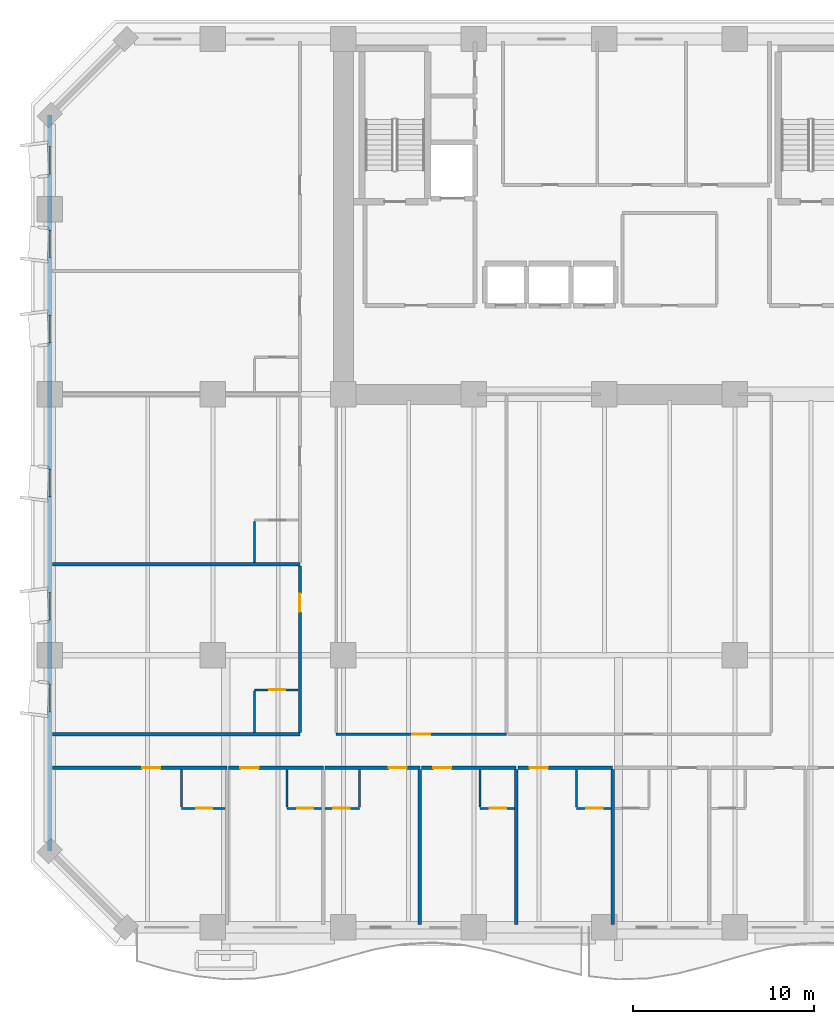
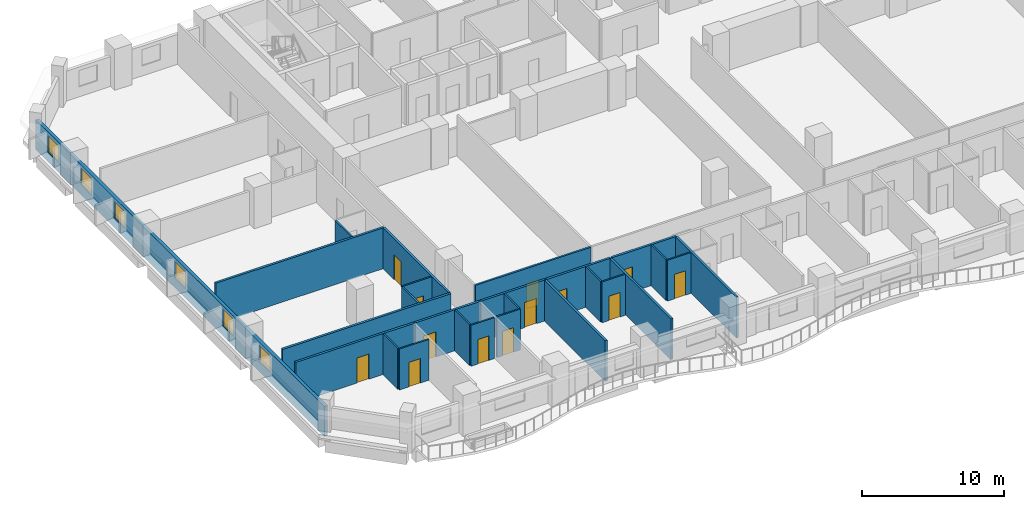
# One storey, part 4 of 16: 26 walls, 13 doors, 6 windows, 19 openings.
"""IFC4 building model written with IfcOpenShell, lengths in metres."""

from ifc_helpers import new_model, si_unit, direction, frame, frame_2d, origin, place, context, subcontext, project, spatial, rectangle, extrude, material, layer, layer_set, type_object, element, fill, save


model = new_model("IFC4")

# Units and contexts
model_context = context("Model", 3, precision=1e-05, world=origin(), true_north=direction((0.0, 1.0)))
body_context = subcontext(model_context, "Body", "Model", "MODEL_VIEW")
ifc_project = project(units=[si_unit("LENGTHUNIT", "METRE"), si_unit("AREAUNIT", "SQUARE_METRE"), si_unit("VOLUMEUNIT", "CUBIC_METRE"), si_unit("PLANEANGLEUNIT", "RADIAN"), si_unit("MASSUNIT", "GRAM", prefix="KILO")], contexts=[model_context])

# Site, building, storey
site_placement = place(None, origin())
site = spatial("IfcSite", under=ifc_project, at=site_placement, CompositionType="ELEMENT")
building_placement = place(site_placement, origin())
building = spatial("IfcBuilding", under=site, at=building_placement, Name="Kaelvorn Grand Hotel", CompositionType="ELEMENT")
storey_placement = place(building_placement, frame((0.0, 0.0, 35.14990234375)))
storey = spatial("IfcBuildingStorey", under=building, at=storey_placement, Name="L06", CompositionType="ELEMENT", Elevation=35.14990234375)

# Wall, openings, windows
ifc_material_1 = material(Name="Concrete C40/50", Category="concrete")
ifc_layer_1 = layer(ifc_material_1, 0.260009765625)
ifc_layer_set_1 = layer_set([ifc_layer_1], Name="Concrete C40/50")
wall_type_1 = type_object("IfcWallType", Name="WL-EXT-260-C40", PredefinedType="SOLIDWALL", material=ifc_layer_set_1)
wall_1_placement = place(storey_placement, frame((0.0, 44.800048828125, 0.0), z_axis=(0.0, 0.0, 1.0), x_axis=(0.0, -1.0, 0.0)))
wall_1 = element("IfcWall", 1, at=wall_1_placement, inside=storey, type_object=wall_type_1, Name="L06 Exterior Architectural Concrete Wall 07", PredefinedType="SOLIDWALL", context=body_context, shape_type="SweptSolid", body=[
    extrude(rectangle(XDim=40.60009765625, YDim=0.260009765625, at=frame_2d((20.300048828125, 0.0))), origin(), (0.0, 0.0, 1.0), 2.56005859375),
])
opening_1_placement = place(wall_1_placement, frame((31.425048828125, 0.0, 0.85009765625)))
opening_1 = element("IfcOpeningElement", 2, at=opening_1_placement, cuts=wall_1, Name="Opening W10", PredefinedType="OPENING", context=body_context, shape_type="SweptSolid", body=[
    extrude(rectangle(XDim=1.5, YDim=1.39990234375, at=frame_2d((0.75, 0.699951171875))), frame((0.0, 0.14013671875, 0.0), z_axis=(0.0, -1.0, 0.0), x_axis=(1.0, 0.0, 0.0)), (0.0, 0.0, 1.0), 0.280029296875),
])
opening_2_placement = place(wall_1_placement, frame((26.340087890625, 0.0, 0.85009765625)))
opening_2 = element("IfcOpeningElement", 3, at=opening_2_placement, cuts=wall_1, Name="Opening W10", PredefinedType="OPENING", context=body_context, shape_type="SweptSolid", body=[
    extrude(rectangle(XDim=1.5, YDim=1.39990234375, at=frame_2d((0.75, 0.699951171875))), frame((0.0, 0.14013671875, 0.0), z_axis=(0.0, -1.0, 0.0), x_axis=(1.0, 0.0, 0.0)), (0.0, 0.0, 1.0), 0.280029296875),
])
opening_3_placement = place(wall_1_placement, frame((19.5400390625, 0.0, 0.85009765625)))
opening_3 = element("IfcOpeningElement", 4, at=opening_3_placement, cuts=wall_1, Name="Opening W10", PredefinedType="OPENING", context=body_context, shape_type="SweptSolid", body=[
    extrude(rectangle(XDim=1.5, YDim=1.39990234375, at=frame_2d((0.75, 0.699951171875))), frame((0.0, 0.14013671875, 0.0), z_axis=(0.0, -1.0, 0.0), x_axis=(1.0, 0.0, 0.0)), (0.0, 0.0, 1.0), 0.280029296875),
])
opening_4_placement = place(wall_1_placement, frame((11.050048828125, 0.0, 0.85009765625)))
opening_4 = element("IfcOpeningElement", 5, at=opening_4_placement, cuts=wall_1, Name="Opening W10", PredefinedType="OPENING", context=body_context, shape_type="SweptSolid", body=[
    extrude(rectangle(XDim=1.5, YDim=1.39990234375, at=frame_2d((0.75, 0.699951171875))), frame((0.0, 0.14013671875, 0.0), z_axis=(0.0, -1.0, 0.0), x_axis=(1.0, 0.0, 0.0)), (0.0, 0.0, 1.0), 0.280029296875),
])
opening_5_placement = place(wall_1_placement, frame((6.35009765625, 0.0, 0.85009765625)))
opening_5 = element("IfcOpeningElement", 6, at=opening_5_placement, cuts=wall_1, Name="Opening W10", PredefinedType="OPENING", context=body_context, shape_type="SweptSolid", body=[
    extrude(rectangle(XDim=1.5, YDim=1.39990234375, at=frame_2d((0.75, 0.699951171875))), frame((0.0, 0.14013671875, 0.0), z_axis=(0.0, -1.0, 0.0), x_axis=(1.0, 0.0, 0.0)), (0.0, 0.0, 1.0), 0.280029296875),
])
opening_6_placement = place(wall_1_placement, frame((1.735107421875, 0.0, 0.85009765625)))
opening_6 = element("IfcOpeningElement", 7, at=opening_6_placement, cuts=wall_1, Name="Opening W10", PredefinedType="OPENING", context=body_context, shape_type="SweptSolid", body=[
    extrude(rectangle(XDim=1.5, YDim=1.39990234375, at=frame_2d((0.75, 0.699951171875))), frame((0.0, 0.14013671875, 0.0), z_axis=(0.0, -1.0, 0.0), x_axis=(1.0, 0.0, 0.0)), (0.0, 0.0, 1.0), 0.280029296875),
])
ifc_material_2 = material(Name="Laminated Low-E Glass", Category="glass")
window_type = type_object("IfcWindowType", Name="WIN-COR-1500x1400", PartitioningType="SINGLE_PANEL", PredefinedType="WINDOW", material=ifc_material_2)
window_1_placement = place(opening_1_placement, origin())
window_1 = element("IfcWindow", 8, at=window_1_placement, inside=storey, type_object=window_type, Name="L06 W Wing Tilted-Frame Ribbon Window W01", OverallHeight=1.39990234375, OverallWidth=1.5, PartitioningType="SINGLE_PANEL", PredefinedType="WINDOW", context=body_context, shape_type="SweptSolid", body=[
    extrude(rectangle(XDim=1.5, YDim=1.39990234375, at=frame_2d((0.75, 0.699951171875))), frame((0.0, 0.030029296875, 0.0), z_axis=(0.0, -1.0, 0.0), x_axis=(1.0, 0.0, 0.0)), (0.0, 0.0, 1.0), 0.06005859375),
])
fill(opening_1, window_1)
window_2_placement = place(opening_2_placement, origin())
window_2 = element("IfcWindow", 9, at=window_2_placement, inside=storey, type_object=window_type, Name="L06 W Wing Tilted-Frame Ribbon Window W02", OverallHeight=1.39990234375, OverallWidth=1.5, PartitioningType="SINGLE_PANEL", PredefinedType="WINDOW", context=body_context, shape_type="SweptSolid", body=[
    extrude(rectangle(XDim=1.5, YDim=1.39990234375, at=frame_2d((0.75, 0.699951171875))), frame((0.0, 0.030029296875, 0.0), z_axis=(0.0, -1.0, 0.0), x_axis=(1.0, 0.0, 0.0)), (0.0, 0.0, 1.0), 0.06005859375),
])
fill(opening_2, window_2)
window_3_placement = place(opening_3_placement, origin())
window_3 = element("IfcWindow", 10, at=window_3_placement, inside=storey, type_object=window_type, Name="L06 W Wing Tilted-Frame Ribbon Window W03", OverallHeight=1.39990234375, OverallWidth=1.5, PartitioningType="SINGLE_PANEL", PredefinedType="WINDOW", context=body_context, shape_type="SweptSolid", body=[
    extrude(rectangle(XDim=1.5, YDim=1.39990234375, at=frame_2d((0.75, 0.699951171875))), frame((0.0, 0.030029296875, 0.0), z_axis=(0.0, -1.0, 0.0), x_axis=(1.0, 0.0, 0.0)), (0.0, 0.0, 1.0), 0.06005859375),
])
fill(opening_3, window_3)
window_4_placement = place(opening_4_placement, origin())
window_4 = element("IfcWindow", 11, at=window_4_placement, inside=storey, type_object=window_type, Name="L06 W Wing Tilted-Frame Ribbon Window W04", OverallHeight=1.39990234375, OverallWidth=1.5, PartitioningType="SINGLE_PANEL", PredefinedType="WINDOW", context=body_context, shape_type="SweptSolid", body=[
    extrude(rectangle(XDim=1.5, YDim=1.39990234375, at=frame_2d((0.75, 0.699951171875))), frame((0.0, 0.030029296875, 0.0), z_axis=(0.0, -1.0, 0.0), x_axis=(1.0, 0.0, 0.0)), (0.0, 0.0, 1.0), 0.06005859375),
])
fill(opening_4, window_4)
window_5_placement = place(opening_5_placement, origin())
window_5 = element("IfcWindow", 12, at=window_5_placement, inside=storey, type_object=window_type, Name="L06 W Wing Tilted-Frame Ribbon Window W05", OverallHeight=1.39990234375, OverallWidth=1.5, PartitioningType="SINGLE_PANEL", PredefinedType="WINDOW", context=body_context, shape_type="SweptSolid", body=[
    extrude(rectangle(XDim=1.5, YDim=1.39990234375, at=frame_2d((0.75, 0.699951171875))), frame((0.0, 0.030029296875, 0.0), z_axis=(0.0, -1.0, 0.0), x_axis=(1.0, 0.0, 0.0)), (0.0, 0.0, 1.0), 0.06005859375),
])
fill(opening_5, window_5)
window_6_placement = place(opening_6_placement, origin())
window_6 = element("IfcWindow", 13, at=window_6_placement, inside=storey, type_object=window_type, Name="L06 W Wing Tilted-Frame Ribbon Window W06", OverallHeight=1.39990234375, OverallWidth=1.5, PartitioningType="SINGLE_PANEL", PredefinedType="WINDOW", context=body_context, shape_type="SweptSolid", body=[
    extrude(rectangle(XDim=1.5, YDim=1.39990234375, at=frame_2d((0.75, 0.699951171875))), frame((0.0, 0.030029296875, 0.0), z_axis=(0.0, -1.0, 0.0), x_axis=(1.0, 0.0, 0.0)), (0.0, 0.0, 1.0), 0.06005859375),
])
fill(opening_6, window_6)

# Wall, opening, door
ifc_material_3 = material(Name="Moisture-Resistant Tile & Stud Board")
ifc_layer_2 = layer(ifc_material_3, 0.125)
ifc_layer_set_2 = layer_set([ifc_layer_2], Name="Moisture-Resistant Tile & Stud Board")
wall_type_2 = type_object("IfcWallType", Name="WL-PART-125-WET", PredefinedType="PARTITIONING", material=ifc_layer_set_2)
wall_2_placement = place(storey_placement, frame((7.271240234375, 6.550048828125, 0.0), z_axis=(0.0, 0.0, 1.0), x_axis=(1.0, 0.0, 0.0)))
wall_2 = element("IfcWall", 14, at=wall_2_placement, inside=storey, type_object=wall_type_2, Name="L06 En-suite Bathroom L06-01 S Partition", PredefinedType="PARTITIONING", context=body_context, shape_type="SweptSolid", body=[
    extrude(rectangle(XDim=2.405029296875, YDim=0.125, at=frame_2d((1.20263671875, 0.0))), origin(), (0.0, 0.0, 1.0), 3.510009765625),
])
opening_7_placement = place(wall_2_placement, frame((0.800048828125, 0.0, 0.0)))
opening_7 = element("IfcOpeningElement", 15, at=opening_7_placement, cuts=wall_2, Name="Opening DI4", PredefinedType="OPENING", context=body_context, shape_type="SweptSolid", body=[
    extrude(rectangle(XDim=0.89990234375, YDim=2.10009765625, at=frame_2d((0.449951171875, 1.050048828125))), frame((0.0, 0.072509765625, 0.0), z_axis=(0.0, -1.0, 0.0), x_axis=(1.0, 0.0, 0.0)), (0.0, 0.0, 1.0), 0.14501953125),
])
ifc_material_4 = material(Name="Timber Veneer Leaf", Category="wood")
door_type_1 = type_object("IfcDoorType", Name="DR-INT-BATH-900x2100", OperationType="NOTDEFINED", PredefinedType="DOOR", material=ifc_material_4)
door_1_placement = place(opening_7_placement, origin())
door_1 = element("IfcDoor", 16, at=door_1_placement, inside=storey, type_object=door_type_1, Name="L06 En-suite Bathroom L06-01 Door", OperationType="SINGLE_SWING_LEFT", OverallHeight=2.10009765625, OverallWidth=0.89990234375, PredefinedType="DOOR", context=body_context, shape_type="SweptSolid", body=[
    extrude(rectangle(XDim=0.89990234375, YDim=2.10009765625, at=frame_2d((0.449951171875, 1.050048828125))), frame((0.0, 0.02490234375, 0.0), z_axis=(0.0, -1.0, 0.0), x_axis=(1.0, 0.0, 0.0)), (0.0, 0.0, 1.0), 0.050048828125),
])
fill(opening_7, door_1)

# Wall
wall_3_placement = place(storey_placement, frame((7.271240234375, 6.617431640625, 0.0), z_axis=(0.0, 0.0, 1.0), x_axis=(0.0, 1.0, 0.0)))
element("IfcWall", 17, at=wall_3_placement, inside=storey, type_object=wall_type_2, Name="L06 En-suite Bathroom L06-01 W Partition", PredefinedType="PARTITIONING", context=body_context, shape_type="SweptSolid", body=[
    extrude(rectangle(XDim=2.087646484375, YDim=0.125, at=frame_2d((1.0439453125, 0.0))), origin(), (0.0, 0.0, 1.0), 3.510009765625),
])

# Wall, opening, door
wall_4_placement = place(storey_placement, frame((13.092529296875, 6.550048828125, 0.0), z_axis=(0.0, 0.0, 1.0), x_axis=(1.0, 0.0, 0.0)))
wall_4 = element("IfcWall", 18, at=wall_4_placement, inside=storey, type_object=wall_type_2, Name="L06 En-suite Bathroom L06-02 S Partition", PredefinedType="PARTITIONING", context=body_context, shape_type="SweptSolid", body=[
    extrude(rectangle(XDim=1.905029296875, YDim=0.125, at=frame_2d((0.95263671875, 0.0))), origin(), (0.0, 0.0, 1.0), 3.510009765625),
])
opening_8_placement = place(wall_4_placement, frame((0.550048828125, 0.0, 0.0)))
opening_8 = element("IfcOpeningElement", 19, at=opening_8_placement, cuts=wall_4, Name="Opening DI4", PredefinedType="OPENING", context=body_context, shape_type="SweptSolid", body=[
    extrude(rectangle(XDim=0.89990234375, YDim=2.10009765625, at=frame_2d((0.449951171875, 1.050048828125))), frame((0.0, 0.072509765625, 0.0), z_axis=(0.0, -1.0, 0.0), x_axis=(1.0, 0.0, 0.0)), (0.0, 0.0, 1.0), 0.14501953125),
])
door_2_placement = place(opening_8_placement, origin())
door_2 = element("IfcDoor", 20, at=door_2_placement, inside=storey, type_object=door_type_1, Name="L06 En-suite Bathroom L06-02 Door", OperationType="SINGLE_SWING_LEFT", OverallHeight=2.10009765625, OverallWidth=0.89990234375, PredefinedType="DOOR", context=body_context, shape_type="SweptSolid", body=[
    extrude(rectangle(XDim=0.89990234375, YDim=2.10009765625, at=frame_2d((0.449951171875, 1.050048828125))), frame((0.0, 0.02490234375, 0.0), z_axis=(0.0, -1.0, 0.0), x_axis=(1.0, 0.0, 0.0)), (0.0, 0.0, 1.0), 0.050048828125),
])
fill(opening_8, door_2)

# Wall
wall_5_placement = place(storey_placement, frame((13.092529296875, 6.617431640625, 0.0), z_axis=(0.0, 0.0, 1.0), x_axis=(0.0, 1.0, 0.0)))
element("IfcWall", 21, at=wall_5_placement, inside=storey, type_object=wall_type_2, Name="L06 En-suite Bathroom L06-02 W Partition", PredefinedType="PARTITIONING", context=body_context, shape_type="SweptSolid", body=[
    extrude(rectangle(XDim=2.087646484375, YDim=0.125, at=frame_2d((1.0439453125, 0.0))), origin(), (0.0, 0.0, 1.0), 3.510009765625),
])

# Wall, opening, door
wall_6_placement = place(storey_placement, frame((15.1875, 6.550048828125, 0.0), z_axis=(0.0, 0.0, 1.0), x_axis=(1.0, 0.0, 0.0)))
wall_6 = element("IfcWall", 22, at=wall_6_placement, inside=storey, type_object=wall_type_2, Name="L06 En-suite Bathroom L06-03 S Partition", PredefinedType="PARTITIONING", context=body_context, shape_type="SweptSolid", body=[
    extrude(rectangle(XDim=1.905029296875, YDim=0.125, at=frame_2d((0.95263671875, 0.0))), origin(), (0.0, 0.0, 1.0), 3.510009765625),
])
opening_9_placement = place(wall_6_placement, frame((0.455078125, 0.0, 0.0)))
opening_9 = element("IfcOpeningElement", 23, at=opening_9_placement, cuts=wall_6, Name="Opening DI4", PredefinedType="OPENING", context=body_context, shape_type="SweptSolid", body=[
    extrude(rectangle(XDim=0.89990234375, YDim=2.10009765625, at=frame_2d((0.449951171875, 1.050048828125))), frame((0.0, 0.072509765625, 0.0), z_axis=(0.0, -1.0, 0.0), x_axis=(1.0, 0.0, 0.0)), (0.0, 0.0, 1.0), 0.14501953125),
])
door_3_placement = place(opening_9_placement, origin())
door_3 = element("IfcDoor", 24, at=door_3_placement, inside=storey, type_object=door_type_1, Name="L06 En-suite Bathroom L06-03 Door", OperationType="SINGLE_SWING_LEFT", OverallHeight=2.10009765625, OverallWidth=0.89990234375, PredefinedType="DOOR", context=body_context, shape_type="SweptSolid", body=[
    extrude(rectangle(XDim=0.89990234375, YDim=2.10009765625, at=frame_2d((0.449951171875, 1.050048828125))), frame((0.0, 0.02490234375, 0.0), z_axis=(0.0, -1.0, 0.0), x_axis=(1.0, 0.0, 0.0)), (0.0, 0.0, 1.0), 0.050048828125),
])
fill(opening_9, door_3)

# Wall
wall_7_placement = place(storey_placement, frame((17.092529296875, 6.617431640625, 0.0), z_axis=(0.0, 0.0, 1.0), x_axis=(0.0, 1.0, 0.0)))
element("IfcWall", 25, at=wall_7_placement, inside=storey, type_object=wall_type_2, Name="L06 En-suite Bathroom L06-03 E Partition", PredefinedType="PARTITIONING", context=body_context, shape_type="SweptSolid", body=[
    extrude(rectangle(XDim=2.087646484375, YDim=0.125, at=frame_2d((1.0439453125, 0.0))), origin(), (0.0, 0.0, 1.0), 3.510009765625),
])

# Wall, opening, door
wall_8_placement = place(storey_placement, frame((23.735107421875, 6.550048828125, 0.0), z_axis=(0.0, 0.0, 1.0), x_axis=(1.0, 0.0, 0.0)))
wall_8 = element("IfcWall", 26, at=wall_8_placement, inside=storey, type_object=wall_type_2, Name="L06 En-suite Bathroom L06-04 S Partition", PredefinedType="PARTITIONING", context=body_context, shape_type="SweptSolid", body=[
    extrude(rectangle(XDim=1.90478515625, YDim=0.125, at=frame_2d((0.952392578125, 0.0))), origin(), (0.0, 0.0, 1.0), 3.510009765625),
])
opening_10_placement = place(wall_8_placement, frame((0.550048828125, 0.0, 0.0)))
opening_10 = element("IfcOpeningElement", 27, at=opening_10_placement, cuts=wall_8, Name="Opening DI4", PredefinedType="OPENING", context=body_context, shape_type="SweptSolid", body=[
    extrude(rectangle(XDim=0.89990234375, YDim=2.10009765625, at=frame_2d((0.449951171875, 1.050048828125))), frame((0.0, 0.072509765625, 0.0), z_axis=(0.0, -1.0, 0.0), x_axis=(1.0, 0.0, 0.0)), (0.0, 0.0, 1.0), 0.14501953125),
])
door_4_placement = place(opening_10_placement, origin())
door_4 = element("IfcDoor", 28, at=door_4_placement, inside=storey, type_object=door_type_1, Name="L06 En-suite Bathroom L06-04 Door", OperationType="SINGLE_SWING_LEFT", OverallHeight=2.10009765625, OverallWidth=0.89990234375, PredefinedType="DOOR", context=body_context, shape_type="SweptSolid", body=[
    extrude(rectangle(XDim=0.89990234375, YDim=2.10009765625, at=frame_2d((0.449951171875, 1.050048828125))), frame((0.0, 0.02490234375, 0.0), z_axis=(0.0, -1.0, 0.0), x_axis=(1.0, 0.0, 0.0)), (0.0, 0.0, 1.0), 0.050048828125),
])
fill(opening_10, door_4)

# Wall
wall_9_placement = place(storey_placement, frame((23.735107421875, 6.617431640625, 0.0), z_axis=(0.0, 0.0, 1.0), x_axis=(0.0, 1.0, 0.0)))
element("IfcWall", 29, at=wall_9_placement, inside=storey, type_object=wall_type_2, Name="L06 En-suite Bathroom L06-04 W Partition", PredefinedType="PARTITIONING", context=body_context, shape_type="SweptSolid", body=[
    extrude(rectangle(XDim=2.087646484375, YDim=0.125, at=frame_2d((1.0439453125, 0.0))), origin(), (0.0, 0.0, 1.0), 3.510009765625),
])

# Wall, opening, door
wall_10_placement = place(storey_placement, frame((29.056396484375, 6.550048828125, 0.0), z_axis=(0.0, 0.0, 1.0), x_axis=(1.0, 0.0, 0.0)))
wall_10 = element("IfcWall", 30, at=wall_10_placement, inside=storey, type_object=wall_type_2, Name="L06 En-suite Bathroom L06-05 S Partition", PredefinedType="PARTITIONING", context=body_context, shape_type="SweptSolid", body=[
    extrude(rectangle(XDim=1.90478515625, YDim=0.125, at=frame_2d((0.952392578125, 0.0))), origin(), (0.0, 0.0, 1.0), 3.510009765625),
])
opening_11_placement = place(wall_10_placement, frame((0.550048828125, 0.0, 0.0)))
opening_11 = element("IfcOpeningElement", 31, at=opening_11_placement, cuts=wall_10, Name="Opening DI4", PredefinedType="OPENING", context=body_context, shape_type="SweptSolid", body=[
    extrude(rectangle(XDim=0.89990234375, YDim=2.10009765625, at=frame_2d((0.449951171875, 1.050048828125))), frame((0.0, 0.072509765625, 0.0), z_axis=(0.0, -1.0, 0.0), x_axis=(1.0, 0.0, 0.0)), (0.0, 0.0, 1.0), 0.14501953125),
])
door_5_placement = place(opening_11_placement, origin())
door_5 = element("IfcDoor", 32, at=door_5_placement, inside=storey, type_object=door_type_1, Name="L06 En-suite Bathroom L06-05 Door", OperationType="SINGLE_SWING_LEFT", OverallHeight=2.10009765625, OverallWidth=0.89990234375, PredefinedType="DOOR", context=body_context, shape_type="SweptSolid", body=[
    extrude(rectangle(XDim=0.89990234375, YDim=2.10009765625, at=frame_2d((0.449951171875, 1.050048828125))), frame((0.0, 0.02490234375, 0.0), z_axis=(0.0, -1.0, 0.0), x_axis=(1.0, 0.0, 0.0)), (0.0, 0.0, 1.0), 0.050048828125),
])
fill(opening_11, door_5)

# Wall
wall_11_placement = place(storey_placement, frame((29.056396484375, 6.617431640625, 0.0), z_axis=(0.0, 0.0, 1.0), x_axis=(0.0, 1.0, 0.0)))
element("IfcWall", 33, at=wall_11_placement, inside=storey, type_object=wall_type_2, Name="L06 En-suite Bathroom L06-05 W Partition", PredefinedType="PARTITIONING", context=body_context, shape_type="SweptSolid", body=[
    extrude(rectangle(XDim=2.087646484375, YDim=0.125, at=frame_2d((1.0439453125, 0.0))), origin(), (0.0, 0.0, 1.0), 3.510009765625),
])

# Wall, opening, door
wall_12_placement = place(storey_placement, frame((11.300048828125, 13.090087890625, 0.0), z_axis=(0.0, 0.0, 1.0), x_axis=(1.0, 0.0, 0.0)))
wall_12 = element("IfcWall", 34, at=wall_12_placement, inside=storey, type_object=wall_type_2, Name="L06 En-suite Bathroom L06-14 N Partition", PredefinedType="PARTITIONING", context=body_context, shape_type="SweptSolid", body=[
    extrude(rectangle(XDim=2.405029296875, YDim=0.125, at=frame_2d((1.20263671875, 0.0))), origin(), (0.0, 0.0, 1.0), 3.510009765625),
])
opening_12_placement = place(wall_12_placement, frame((0.800048828125, 0.0, 0.0)))
opening_12 = element("IfcOpeningElement", 35, at=opening_12_placement, cuts=wall_12, Name="Opening DI4", PredefinedType="OPENING", context=body_context, shape_type="SweptSolid", body=[
    extrude(rectangle(XDim=0.89990234375, YDim=2.10009765625, at=frame_2d((0.449951171875, 1.050048828125))), frame((0.0, 0.072509765625, 0.0), z_axis=(0.0, -1.0, 0.0), x_axis=(1.0, 0.0, 0.0)), (0.0, 0.0, 1.0), 0.14501953125),
])
door_6_placement = place(opening_12_placement, origin())
door_6 = element("IfcDoor", 36, at=door_6_placement, inside=storey, type_object=door_type_1, Name="L06 En-suite Bathroom L06-14 Door", OperationType="SINGLE_SWING_RIGHT", OverallHeight=2.10009765625, OverallWidth=0.89990234375, PredefinedType="DOOR", context=body_context, shape_type="SweptSolid", body=[
    extrude(rectangle(XDim=0.89990234375, YDim=2.10009765625, at=frame_2d((0.449951171875, 1.050048828125))), frame((0.0, 0.02490234375, 0.0), z_axis=(0.0, -1.0, 0.0), x_axis=(1.0, 0.0, 0.0)), (0.0, 0.0, 1.0), 0.050048828125),
])
fill(opening_12, door_6)

# Walls
wall_13_placement = place(storey_placement, frame((11.300048828125, 10.7451171875, 0.0), z_axis=(0.0, 0.0, 1.0), x_axis=(0.0, 1.0, 0.0)))
element("IfcWall", 37, at=wall_13_placement, inside=storey, type_object=wall_type_2, Name="L06 En-suite Bathroom L06-14 W Partition", PredefinedType="PARTITIONING", context=body_context, shape_type="SweptSolid", body=[
    extrude(rectangle(XDim=2.27734375, YDim=0.125, at=frame_2d((1.138671875, 0.0))), origin(), (0.0, 0.0, 1.0), 3.510009765625),
])
wall_14_placement = place(storey_placement, frame((11.300048828125, 20.114990234375, 0.0), z_axis=(0.0, 0.0, 1.0), x_axis=(0.0, 1.0, 0.0)))
element("IfcWall", 38, at=wall_14_placement, inside=storey, type_object=wall_type_2, Name="L06 En-suite Bathroom L06-15 W Partition", PredefinedType="PARTITIONING", context=body_context, shape_type="SweptSolid", body=[
    extrude(rectangle(XDim=2.277587890625, YDim=0.125, at=frame_2d((1.138671875, 0.0))), origin(), (0.0, 0.0, 1.0), 3.510009765625),
])

# Wall, opening, door
ifc_material_5 = material(Name="Acoustic Gypsum & Stud Partition")
ifc_layer_3 = layer(ifc_material_5, 0.14990234375)
ifc_layer_set_3 = layer_set([ifc_layer_3], Name="Acoustic Gypsum & Stud Partition")
wall_type_3 = type_object("IfcWallType", Name="WL-PART-150-EI60", PredefinedType="PARTITIONING", material=ifc_layer_set_3)
wall_15_placement = place(storey_placement, frame((15.800048828125, 10.64990234375, 0.0), z_axis=(0.0, 0.0, 1.0), x_axis=(1.0, 0.0, 0.0)))
wall_15 = element("IfcWall", 39, at=wall_15_placement, inside=storey, type_object=wall_type_3, Name="L06 Executive Meeting Boardroom S Partition", PredefinedType="PARTITIONING", context=body_context, shape_type="SweptSolid", body=[
    extrude(rectangle(XDim=9.39990234375, YDim=0.14990234375, at=frame_2d((4.699951171875, 0.0))), origin(), (0.0, 0.0, 1.0), 3.510009765625),
])
opening_13_placement = place(wall_15_placement, frame((4.199951171875, 0.0, 0.0)))
opening_13 = element("IfcOpeningElement", 40, at=opening_13_placement, cuts=wall_15, Name="Opening DI3", PredefinedType="OPENING", context=body_context, shape_type="SweptSolid", body=[
    extrude(rectangle(XDim=1.0, YDim=2.14990234375, at=frame_2d((0.5, 1.074951171875))), frame((0.0, 0.0849609375, 0.0), z_axis=(0.0, -1.0, 0.0), x_axis=(1.0, 0.0, 0.0)), (0.0, 0.0, 1.0), 0.169921875),
])
ifc_material_6 = material(Name="Timber Veneer Fire Leaf", Category="wood")
door_type_2 = type_object("IfcDoorType", Name="DR-INT-GUEST-1000x2150", OperationType="NOTDEFINED", PredefinedType="DOOR", material=ifc_material_6)
door_7_placement = place(opening_13_placement, origin())
door_7 = element("IfcDoor", 41, at=door_7_placement, inside=storey, type_object=door_type_2, Name="L06 Executive Meeting Boardroom Door", OperationType="SINGLE_SWING_RIGHT", OverallHeight=2.14990234375, OverallWidth=1.0, PredefinedType="DOOR", context=body_context, shape_type="SweptSolid", body=[
    extrude(rectangle(XDim=1.0, YDim=2.14990234375, at=frame_2d((0.5, 1.074951171875))), frame((0.0, 0.02490234375, 0.0), z_axis=(0.0, -1.0, 0.0), x_axis=(1.0, 0.0, 0.0)), (0.0, 0.0, 1.0), 0.050048828125),
])
fill(opening_13, door_7)

ifc_layer_4 = layer(ifc_material_5, 0.179931640625)
ifc_layer_set_4 = layer_set([ifc_layer_4], Name="Acoustic Gypsum & Stud Partition")
wall_type_4 = type_object("IfcWallType", Name="WL-PART-180-EI60", PredefinedType="PARTITIONING", material=ifc_layer_set_4)
wall_16_placement = place(storey_placement, frame((0.14990234375, 8.800048828125, 0.0), z_axis=(0.0, 0.0, 1.0), x_axis=(1.0, 0.0, 0.0)))
wall_16 = element("IfcWall", 42, at=wall_16_placement, inside=storey, type_object=wall_type_4, Name="L06 Deluxe Panoramic Suite L06-01 N Partition", PredefinedType="PARTITIONING", context=body_context, shape_type="SweptSolid", body=[
    extrude(rectangle(XDim=9.621337890625, YDim=0.179931640625, at=frame_2d((4.810546875, 0.0))), origin(), (0.0, 0.0, 1.0), 3.510009765625),
])
opening_14_placement = place(wall_16_placement, frame((4.949951171875, 0.0, 0.0)))
opening_14 = element("IfcOpeningElement", 43, at=opening_14_placement, cuts=wall_16, Name="Opening DI3", PredefinedType="OPENING", context=body_context, shape_type="SweptSolid", body=[
    extrude(rectangle(XDim=1.0, YDim=2.14990234375, at=frame_2d((0.5, 1.074951171875))), frame((0.0, 0.10009765625, 0.0), z_axis=(0.0, -1.0, 0.0), x_axis=(1.0, 0.0, 0.0)), (0.0, 0.0, 1.0), 0.199951171875),
])
door_8_placement = place(opening_14_placement, origin())
door_8 = element("IfcDoor", 44, at=door_8_placement, inside=storey, type_object=door_type_2, Name="L06 Deluxe Panoramic Suite L06-01 Door", OperationType="SINGLE_SWING_RIGHT", OverallHeight=2.14990234375, OverallWidth=1.0, PredefinedType="DOOR", context=body_context, shape_type="SweptSolid", body=[
    extrude(rectangle(XDim=1.0, YDim=2.14990234375, at=frame_2d((0.5, 1.074951171875))), frame((0.0, 0.02490234375, 0.0), z_axis=(0.0, -1.0, 0.0), x_axis=(1.0, 0.0, 0.0)), (0.0, 0.0, 1.0), 0.050048828125),
])
fill(opening_14, door_8)

wall_17_placement = place(storey_placement, frame((9.8662109375, 8.800048828125, 0.0), z_axis=(0.0, 0.0, 1.0), x_axis=(1.0, 0.0, 0.0)))
wall_17 = element("IfcWall", 45, at=wall_17_placement, inside=storey, type_object=wall_type_4, Name="L06 Deluxe King Guest Room L06-02 N Partition", PredefinedType="PARTITIONING", context=body_context, shape_type="SweptSolid", body=[
    extrude(rectangle(XDim=5.226318359375, YDim=0.179931640625, at=frame_2d((2.61328125, 0.0))), origin(), (0.0, 0.0, 1.0), 3.510009765625),
])
opening_15_placement = place(wall_17_placement, frame((0.64990234375, 0.0, 0.0)))
opening_15 = element("IfcOpeningElement", 46, at=opening_15_placement, cuts=wall_17, Name="Opening DI3", PredefinedType="OPENING", context=body_context, shape_type="SweptSolid", body=[
    extrude(rectangle(XDim=1.0, YDim=2.14990234375, at=frame_2d((0.5, 1.074951171875))), frame((0.0, 0.10009765625, 0.0), z_axis=(0.0, -1.0, 0.0), x_axis=(1.0, 0.0, 0.0)), (0.0, 0.0, 1.0), 0.199951171875),
])
door_9_placement = place(opening_15_placement, origin())
door_9 = element("IfcDoor", 47, at=door_9_placement, inside=storey, type_object=door_type_2, Name="L06 Deluxe King Guest Room L06-02 Door", OperationType="SINGLE_SWING_RIGHT", OverallHeight=2.14990234375, OverallWidth=1.0, PredefinedType="DOOR", context=body_context, shape_type="SweptSolid", body=[
    extrude(rectangle(XDim=1.0, YDim=2.14990234375, at=frame_2d((0.5, 1.074951171875))), frame((0.0, 0.02490234375, 0.0), z_axis=(0.0, -1.0, 0.0), x_axis=(1.0, 0.0, 0.0)), (0.0, 0.0, 1.0), 0.050048828125),
])
fill(opening_15, door_9)

wall_18_placement = place(storey_placement, frame((15.1875, 8.800048828125, 0.0), z_axis=(0.0, 0.0, 1.0), x_axis=(1.0, 0.0, 0.0)))
wall_18 = element("IfcWall", 48, at=wall_18_placement, inside=storey, type_object=wall_type_4, Name="L06 Deluxe King Guest Room L06-03 N Partition", PredefinedType="PARTITIONING", context=body_context, shape_type="SweptSolid", body=[
    extrude(rectangle(XDim=5.226318359375, YDim=0.179931640625, at=frame_2d((2.61328125, 0.0))), origin(), (0.0, 0.0, 1.0), 3.510009765625),
])
opening_16_placement = place(wall_18_placement, frame((3.515625, 0.0, 0.0)))
opening_16 = element("IfcOpeningElement", 49, at=opening_16_placement, cuts=wall_18, Name="Opening DI3", PredefinedType="OPENING", context=body_context, shape_type="SweptSolid", body=[
    extrude(rectangle(XDim=1.0, YDim=2.14990234375, at=frame_2d((0.5, 1.074951171875))), frame((0.0, 0.10009765625, 0.0), z_axis=(0.0, -1.0, 0.0), x_axis=(1.0, 0.0, 0.0)), (0.0, 0.0, 1.0), 0.199951171875),
])
door_10_placement = place(opening_16_placement, origin())
door_10 = element("IfcDoor", 50, at=door_10_placement, inside=storey, type_object=door_type_2, Name="L06 Deluxe King Guest Room L06-03 Door", OperationType="SINGLE_SWING_RIGHT", OverallHeight=2.14990234375, OverallWidth=1.0, PredefinedType="DOOR", context=body_context, shape_type="SweptSolid", body=[
    extrude(rectangle(XDim=1.0, YDim=2.14990234375, at=frame_2d((0.5, 1.074951171875))), frame((0.0, 0.02490234375, 0.0), z_axis=(0.0, -1.0, 0.0), x_axis=(1.0, 0.0, 0.0)), (0.0, 0.0, 1.0), 0.050048828125),
])
fill(opening_16, door_10)

# Wall
wall_19_placement = place(storey_placement, frame((20.413818359375, 0.14990234375, 0.0), z_axis=(0.0, 0.0, 1.0), x_axis=(0.0, 1.0, 0.0)))
element("IfcWall", 51, at=wall_19_placement, inside=storey, type_object=wall_type_4, Name="L06 Deluxe King Guest Room L06-03 E Partition", PredefinedType="PARTITIONING", context=body_context, shape_type="SweptSolid", body=[
    extrude(rectangle(XDim=8.55517578125, YDim=0.179931640625, at=frame_2d((4.277587890625, 0.0))), origin(), (0.0, 0.0, 1.0), 3.510009765625),
])

# Wall, opening, door
wall_20_placement = place(storey_placement, frame((20.5087890625, 8.800048828125, 0.0), z_axis=(0.0, 0.0, 1.0), x_axis=(1.0, 0.0, 0.0)))
wall_20 = element("IfcWall", 52, at=wall_20_placement, inside=storey, type_object=wall_type_4, Name="L06 Deluxe King Guest Room L06-04 N Partition", PredefinedType="PARTITIONING", context=body_context, shape_type="SweptSolid", body=[
    extrude(rectangle(XDim=5.226318359375, YDim=0.179931640625, at=frame_2d((2.61328125, 0.0))), origin(), (0.0, 0.0, 1.0), 3.510009765625),
])
opening_17_placement = place(wall_20_placement, frame((0.64990234375, 0.0, 0.0)))
opening_17 = element("IfcOpeningElement", 53, at=opening_17_placement, cuts=wall_20, Name="Opening DI3", PredefinedType="OPENING", context=body_context, shape_type="SweptSolid", body=[
    extrude(rectangle(XDim=1.0, YDim=2.14990234375, at=frame_2d((0.5, 1.074951171875))), frame((0.0, 0.10009765625, 0.0), z_axis=(0.0, -1.0, 0.0), x_axis=(1.0, 0.0, 0.0)), (0.0, 0.0, 1.0), 0.199951171875),
])
door_11_placement = place(opening_17_placement, origin())
door_11 = element("IfcDoor", 54, at=door_11_placement, inside=storey, type_object=door_type_2, Name="L06 Deluxe King Guest Room L06-04 Door", OperationType="SINGLE_SWING_RIGHT", OverallHeight=2.14990234375, OverallWidth=1.0, PredefinedType="DOOR", context=body_context, shape_type="SweptSolid", body=[
    extrude(rectangle(XDim=1.0, YDim=2.14990234375, at=frame_2d((0.5, 1.074951171875))), frame((0.0, 0.02490234375, 0.0), z_axis=(0.0, -1.0, 0.0), x_axis=(1.0, 0.0, 0.0)), (0.0, 0.0, 1.0), 0.050048828125),
])
fill(opening_17, door_11)

# Wall
wall_21_placement = place(storey_placement, frame((25.735107421875, 0.14990234375, 0.0), z_axis=(0.0, 0.0, 1.0), x_axis=(0.0, 1.0, 0.0)))
element("IfcWall", 55, at=wall_21_placement, inside=storey, type_object=wall_type_4, Name="L06 Deluxe King Guest Room L06-04 E Partition", PredefinedType="PARTITIONING", context=body_context, shape_type="SweptSolid", body=[
    extrude(rectangle(XDim=8.55517578125, YDim=0.179931640625, at=frame_2d((4.277587890625, 0.0))), origin(), (0.0, 0.0, 1.0), 3.510009765625),
])

# Wall, opening, door
wall_22_placement = place(storey_placement, frame((25.830078125, 8.800048828125, 0.0), z_axis=(0.0, 0.0, 1.0), x_axis=(1.0, 0.0, 0.0)))
wall_22 = element("IfcWall", 56, at=wall_22_placement, inside=storey, type_object=wall_type_4, Name="L06 Deluxe King Guest Room L06-05 N Partition", PredefinedType="PARTITIONING", context=body_context, shape_type="SweptSolid", body=[
    extrude(rectangle(XDim=5.226318359375, YDim=0.179931640625, at=frame_2d((2.61328125, 0.0))), origin(), (0.0, 0.0, 1.0), 3.510009765625),
])
opening_18_placement = place(wall_22_placement, frame((0.64990234375, 0.0, 0.0)))
opening_18 = element("IfcOpeningElement", 57, at=opening_18_placement, cuts=wall_22, Name="Opening DI3", PredefinedType="OPENING", context=body_context, shape_type="SweptSolid", body=[
    extrude(rectangle(XDim=1.0, YDim=2.14990234375, at=frame_2d((0.5, 1.074951171875))), frame((0.0, 0.10009765625, 0.0), z_axis=(0.0, -1.0, 0.0), x_axis=(1.0, 0.0, 0.0)), (0.0, 0.0, 1.0), 0.199951171875),
])
door_12_placement = place(opening_18_placement, origin())
door_12 = element("IfcDoor", 58, at=door_12_placement, inside=storey, type_object=door_type_2, Name="L06 Deluxe King Guest Room L06-05 Door", OperationType="SINGLE_SWING_RIGHT", OverallHeight=2.14990234375, OverallWidth=1.0, PredefinedType="DOOR", context=body_context, shape_type="SweptSolid", body=[
    extrude(rectangle(XDim=1.0, YDim=2.14990234375, at=frame_2d((0.5, 1.074951171875))), frame((0.0, 0.02490234375, 0.0), z_axis=(0.0, -1.0, 0.0), x_axis=(1.0, 0.0, 0.0)), (0.0, 0.0, 1.0), 0.050048828125),
])
fill(opening_18, door_12)

# Walls
wall_23_placement = place(storey_placement, frame((31.056396484375, 0.14990234375, 0.0), z_axis=(0.0, 0.0, 1.0), x_axis=(0.0, 1.0, 0.0)))
element("IfcWall", 59, at=wall_23_placement, inside=storey, type_object=wall_type_4, Name="L06 Deluxe King Guest Room L06-05 E Partition", PredefinedType="PARTITIONING", context=body_context, shape_type="SweptSolid", body=[
    extrude(rectangle(XDim=8.55517578125, YDim=0.179931640625, at=frame_2d((4.277587890625, 0.0))), origin(), (0.0, 0.0, 1.0), 3.510009765625),
])
for number, where, z_axis, x_axis, name in (
    (60, (0.14990234375, 10.64990234375, 0.0), (0.0, 0.0, 1.0), (1.0, 0.0, 0.0), "L06 West Wing Panoramic Suite L06-14 S Partition"),
    (61, (0.14990234375, 20.02001953125, 0.0), (0.0, 0.0, 1.0), (1.0, 0.0, 0.0), "L06 West Wing Panoramic Suite L06-14 N Partition"),
):
    element("IfcWall", number, at=place(storey_placement, frame(where, z_axis=z_axis, x_axis=x_axis)), inside=storey, type_object=wall_type_4, Name=name, PredefinedType="PARTITIONING", context=body_context, shape_type="SweptSolid", body=[
        extrude(rectangle(XDim=13.650146484375, YDim=0.179931640625, at=frame_2d((6.8251953125, 0.0))), origin(), (0.0, 0.0, 1.0), 3.510009765625),
    ])

# Wall, opening, door
wall_24_placement = place(storey_placement, frame((13.800048828125, 10.7451171875, 0.0), z_axis=(0.0, 0.0, 1.0), x_axis=(0.0, 1.0, 0.0)))
wall_24 = element("IfcWall", 62, at=wall_24_placement, inside=storey, type_object=wall_type_4, Name="L06 West Wing Panoramic Suite L06-14 E Partition", PredefinedType="PARTITIONING", context=body_context, shape_type="SweptSolid", body=[
    extrude(rectangle(XDim=9.179931640625, YDim=0.179931640625, at=frame_2d((4.58984375, 0.0))), origin(), (0.0, 0.0, 1.0), 3.510009765625),
])
opening_19_placement = place(wall_24_placement, frame((6.655029296875, 0.0, 0.0)))
opening_19 = element("IfcOpeningElement", 63, at=opening_19_placement, cuts=wall_24, Name="Opening DI3", PredefinedType="OPENING", context=body_context, shape_type="SweptSolid", body=[
    extrude(rectangle(XDim=1.0, YDim=2.14990234375, at=frame_2d((0.5, 1.074951171875))), frame((0.0, 0.10009765625, 0.0), z_axis=(0.0, -1.0, 0.0), x_axis=(1.0, 0.0, 0.0)), (0.0, 0.0, 1.0), 0.199951171875),
])
door_13_placement = place(opening_19_placement, origin())
door_13 = element("IfcDoor", 64, at=door_13_placement, inside=storey, type_object=door_type_2, Name="L06 West Wing Panoramic Suite L06-14 Door", OperationType="SINGLE_SWING_LEFT", OverallHeight=2.14990234375, OverallWidth=1.0, PredefinedType="DOOR", context=body_context, shape_type="SweptSolid", body=[
    extrude(rectangle(XDim=1.0, YDim=2.14990234375, at=frame_2d((0.5, 1.074951171875))), frame((0.0, 0.02490234375, 0.0), z_axis=(0.0, -1.0, 0.0), x_axis=(1.0, 0.0, 0.0)), (0.0, 0.0, 1.0), 0.050048828125),
])
fill(opening_19, door_13)

save(model, "model.ifc")
